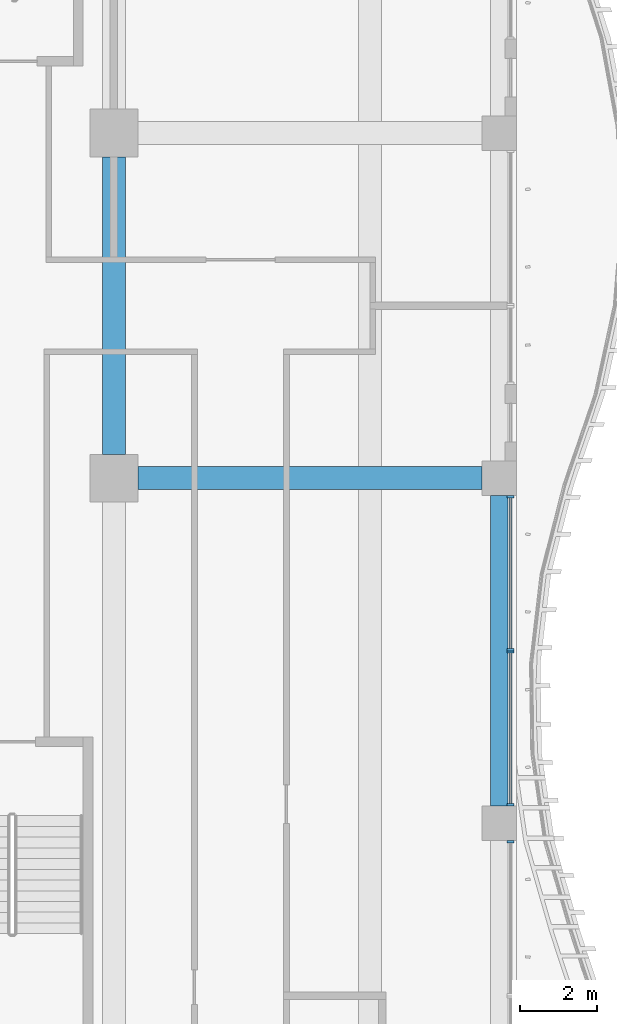
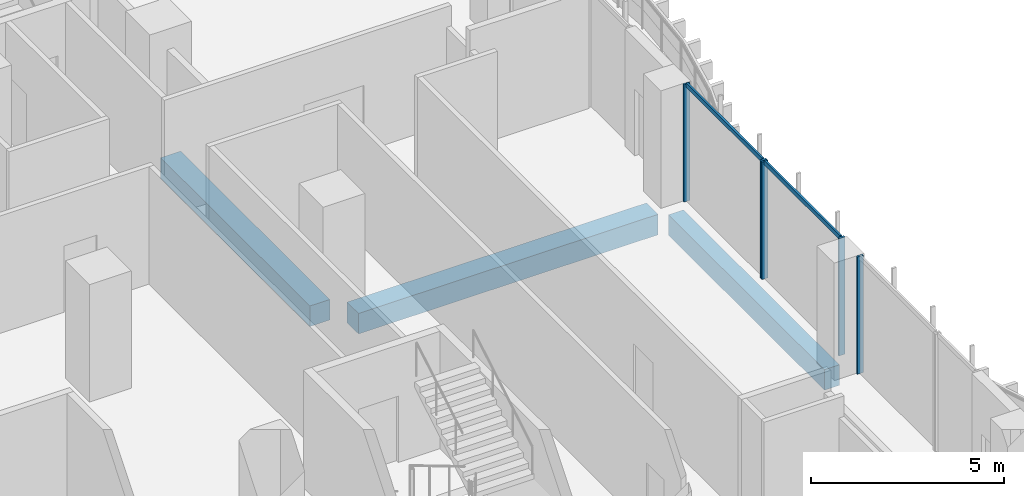
# One storey, part 7 of 28: 7 members, 3 beams, 3 elements without a shape of their own.
"""IFC4 building model written with IfcOpenShell, lengths in metres."""

import ifcopenshell
import ifcopenshell.guid

model = None  # the IFC model being written
_history = None  # IfcOwnerHistory: only IFC2X3 demands one
_inside = {}  # id of a spatial element -> (the spatial element, [elements in it])
_under = {}  # id of a project, library or spatial element -> (it, [spatial elements below it])
_declared = {}  # id of a project -> (the project, [libraries it declares])
_typed = {}  # id of a type object -> (the type object, [elements of that type])
_made_of = {}  # id of a material, layer set ... -> (it, [elements and type objects made of it])


def new_model(schema):
    """Start an empty IFC model of exactly this schema.

    Asked for "IFC4X3", IfcOpenShell would pick the latest addendum, in which some entities
    have other attributes; the version numbers below select the first issue.
    IFC2X3 requires an IfcOwnerHistory on every rooted entity: one is made here for all.
    """
    global model, _history
    if schema == "IFC4X3":
        model = ifcopenshell.file(schema_version=(4, 3, 0, 0))
    else:
        model = ifcopenshell.file(schema=schema)
    _inside.clear()
    _under.clear()
    _declared.clear()
    _typed.clear()
    _made_of.clear()
    _history = None
    if model.schema == "IFC2X3":
        org = make("IfcOrganization", Name="unknown")
        user = make(
            "IfcPersonAndOrganization",
            ThePerson=make("IfcPerson", FamilyName="unknown"),
            TheOrganization=org,
        )
        app = make(
            "IfcApplication",
            ApplicationDeveloper=org,
            Version="unknown",
            ApplicationFullName="unknown",
            ApplicationIdentifier="unknown",
        )
        _history = make(
            "IfcOwnerHistory",
            OwningUser=user,
            OwningApplication=app,
            ChangeAction="ADDED",
            CreationDate=0,
        )
    return model


def make(cls, **values):
    """One entity of the class cls with the attributes given. An attribute that is None is left unset."""
    return model.create_entity(
        cls, **{name: value for name, value in values.items() if value is not None}
    )


def rooted(cls, **values):
    """An entity with a GlobalId (a new one), such as an element, a storey or a relation."""
    return make(cls, GlobalId=ifcopenshell.guid.new(), OwnerHistory=_history, **values)


def si_unit(unit_type, name, prefix=None):
    """IfcSIUnit, for example si_unit("LENGTHUNIT", "METRE", prefix="MILLI")."""
    return make("IfcSIUnit", UnitType=unit_type, Prefix=prefix, Name=name)


def assignment(units):
    """IfcUnitAssignment: the units of a project."""
    return None if units is None else make("IfcUnitAssignment", Units=units)


def point(xyz):
    """IfcCartesianPoint."""
    return None if xyz is None else make("IfcCartesianPoint", Coordinates=xyz)


def direction(xyz):
    """IfcDirection."""
    return None if xyz is None else make("IfcDirection", DirectionRatios=xyz)


def frame(location, z_axis=None, x_axis=None):
    """IfcAxis2Placement3D, a coordinate frame: its origin and axes. An axis left out is left unset."""
    return make(
        "IfcAxis2Placement3D",
        Location=point(location),
        Axis=direction(z_axis),
        RefDirection=direction(x_axis),
    )


def frame_2d(location, x_axis=None):
    """IfcAxis2Placement2D, a coordinate frame in the plane: its origin and x axis."""
    return make(
        "IfcAxis2Placement2D", Location=point(location), RefDirection=direction(x_axis)
    )


def origin():
    """The frame at (0, 0, 0) with its axes left unset."""
    return frame((0.0, 0.0, 0.0))


def origin_2d():
    """The frame at (0, 0) in the plane with its x axis left unset."""
    return frame_2d((0.0, 0.0))


def place(relative_to, where):
    """IfcLocalPlacement: puts the frame where relative to a parent placement (None: the world)."""
    return make(
        "IfcLocalPlacement", PlacementRelTo=relative_to, RelativePlacement=where
    )


def context(
    kind, dimensions, precision=None, world=None, true_north=None, identifier=None
):
    """IfcGeometricRepresentationContext, for example the 3D "Model" context."""
    return make(
        "IfcGeometricRepresentationContext",
        ContextIdentifier=identifier,
        ContextType=kind,
        CoordinateSpaceDimension=dimensions,
        Precision=precision,
        WorldCoordinateSystem=world,
        TrueNorth=true_north,
    )


def subcontext(parent, identifier, kind, view, scale=None):
    """IfcGeometricRepresentationSubContext, for example "Body" below "Model"."""
    return make(
        "IfcGeometricRepresentationSubContext",
        ContextIdentifier=identifier,
        ContextType=kind,
        ParentContext=parent,
        TargetScale=scale,
        TargetView=view,
    )


def project(units=None, contexts=None):
    """IfcProject with its units and contexts."""
    return rooted(
        "IfcProject",
        Name="project",
        RepresentationContexts=contexts,
        UnitsInContext=assignment(units),
    )


def spatial(cls, under=None, at=None, **own):
    """A site, building, storey or space (cls), placed at a placement, below another one or the project."""
    s = rooted(cls, ObjectPlacement=at, **own)
    if under is not None:
        _under.setdefault(under.id(), (under, []))[1].append(s)
    return s


def profile(cls, at=None, kind="AREA", **sizes):
    """A parametric profile (cls). Its sizes go by their IFC names, for example OverallWidth=200.0."""
    return make(cls, ProfileType=kind, Position=at, **sizes)


def rectangle(**sizes):
    """IfcRectangleProfileDef."""
    return profile("IfcRectangleProfileDef", **sizes)


def extrude(swept, where, along, depth):
    """IfcExtrudedAreaSolid: the profile swept, set in the frame where, extruded along a direction by depth."""
    return make(
        "IfcExtrudedAreaSolid",
        SweptArea=swept,
        Position=where,
        ExtrudedDirection=direction(along),
        Depth=depth,
    )


def shape(context_of_items, identifier, shape_type, items):
    """IfcShapeRepresentation: the items that make up one representation, for example the "Body"."""
    return make(
        "IfcShapeRepresentation",
        ContextOfItems=context_of_items,
        RepresentationIdentifier=identifier,
        RepresentationType=shape_type,
        Items=items,
    )


def source(mapping_origin, context_of_items, identifier, shape_type, items):
    """IfcRepresentationMap: a shape defined once, which mapped items show again and again."""
    return make(
        "IfcRepresentationMap",
        MappingOrigin=mapping_origin,
        MappedRepresentation=shape(context_of_items, identifier, shape_type, items),
    )


def transform(
    local_origin,
    x_axis=None,
    y_axis=None,
    z_axis=None,
    scale=None,
    scale2=None,
    scale3=None,
    uniform=True,
):
    """IfcCartesianTransformationOperator3D, or its non-uniform kind. x_axis, y_axis, z_axis: its Axis1, 2, 3."""
    if uniform:
        return make(
            "IfcCartesianTransformationOperator3D",
            Axis1=direction(x_axis),
            Axis2=direction(y_axis),
            LocalOrigin=point(local_origin),
            Scale=scale,
            Axis3=direction(z_axis),
        )
    return make(
        "IfcCartesianTransformationOperator3DnonUniform",
        Axis1=direction(x_axis),
        Axis2=direction(y_axis),
        LocalOrigin=point(local_origin),
        Scale=scale,
        Axis3=direction(z_axis),
        Scale2=scale2,
        Scale3=scale3,
    )


def mapped(mapping_source, mapping_target):
    """IfcMappedItem: shows the shape of a source again, moved by a transform."""
    return make(
        "IfcMappedItem", MappingSource=mapping_source, MappingTarget=mapping_target
    )


def material(Name=None, Category=None):
    """IfcMaterial."""
    return make("IfcMaterial", Name=Name, Category=Category)


def material_profile(
    of_material, cross_section, Name=None, Category=None, Priority=None
):
    """IfcMaterialProfile: a cross section and its material."""
    return make(
        "IfcMaterialProfile",
        Name=Name,
        Material=of_material,
        Profile=cross_section,
        Priority=Priority,
        Category=Category,
    )


def profile_set(profiles, Name=None, composite=None):
    """IfcMaterialProfileSet."""
    return make(
        "IfcMaterialProfileSet",
        Name=Name,
        MaterialProfiles=profiles,
        CompositeProfile=composite,
    )


def made_of(thing, what):
    """Note that an element or type object is made of a material, layer set ...; save() writes the relation."""
    if what is not None:
        _made_of.setdefault(what.id(), (what, []))[1].append(thing)
    return thing


def type_object(cls, material=None, **own):
    """A type object (cls), such as IfcWallType, which elements share."""
    return made_of(rooted(cls, **own), material)


def element(
    cls,
    number,
    at=None,
    inside=None,
    cuts=None,
    type_object=None,
    material=None,
    context=None,
    identifier="Body",
    shape_type=None,
    held_by="IfcProductDefinitionShape",
    body=None,
    shapes=None,
    **own,
):
    """One element of the class cls, such as IfcWall. Its Tag is "e" and its number.

    at: its placement. inside: the storey or other place that contains it. cuts: it is an
    opening in that element (IfcRelVoidsElement). A single representation is given by context,
    identifier, shape_type and body (its items); several are given by shapes. held_by: the class
    of the entity that holds the representations. save() writes the other relations.
    """
    e = rooted(cls, Tag="e%d" % number, ObjectPlacement=at, **own)
    if body is not None:
        shapes = [shape(context, identifier, shape_type, body)]
    if shapes is not None:
        e.Representation = make(held_by, Representations=shapes)
    if inside is not None:
        _inside.setdefault(inside.id(), (inside, []))[1].append(e)
    if cuts is not None:
        rooted(
            "IfcRelVoidsElement", RelatingBuildingElement=cuts, RelatedOpeningElement=e
        )
    if type_object is not None:
        _typed.setdefault(type_object.id(), (type_object, []))[1].append(e)
    return made_of(e, material)


def aggregate(whole, parts):
    """IfcRelAggregates: a whole, such as a stair, and the parts it consists of."""
    return rooted("IfcRelAggregates", RelatingObject=whole, RelatedObjects=parts)


def save(model, path):
    """Write the relations noted so far, then the file.

    IfcRelAggregates (storeys below a building ...), IfcRelContainedInSpatialStructure (elements
    in a storey), IfcRelDefinesByType, IfcRelAssociatesMaterial and IfcRelDeclares: one each for
    every whole, place, type object, material and project.
    """
    for whole, parts in _under.values():
        aggregate(whole, parts)
    for where, things in _inside.values():
        rooted(
            "IfcRelContainedInSpatialStructure",
            RelatedElements=things,
            RelatingStructure=where,
        )
    for kind, things in _typed.values():
        rooted("IfcRelDefinesByType", RelatedObjects=things, RelatingType=kind)
    for what, things in _made_of.values():
        rooted("IfcRelAssociatesMaterial", RelatedObjects=things, RelatingMaterial=what)
    for by, libraries in _declared.values():
        rooted("IfcRelDeclares", RelatingContext=by, RelatedDefinitions=libraries)
    model.write(path)


model = new_model("IFC4")

# Units and contexts
model_context = context("Model", 3, precision=1e-05, world=origin(), true_north=direction((0.0, 1.0)))
body_context = subcontext(model_context, "Body", "Model", "MODEL_VIEW")
ifc_project = project(units=[si_unit("LENGTHUNIT", "METRE"), si_unit("AREAUNIT", "SQUARE_METRE"), si_unit("VOLUMEUNIT", "CUBIC_METRE"), si_unit("PLANEANGLEUNIT", "RADIAN"), si_unit("MASSUNIT", "GRAM", prefix="KILO")], contexts=[model_context])

# Site, building, storey
site_placement = place(None, origin())
site = spatial("IfcSite", under=ifc_project, at=site_placement, CompositionType="ELEMENT")
building_placement = place(site_placement, origin())
building = spatial("IfcBuilding", under=site, at=building_placement, Name="Kilnfold Tower and Market Hall", CompositionType="ELEMENT")
storey_placement = place(building_placement, frame((0.0, 0.0, 75.199951171875)))
storey = spatial("IfcBuildingStorey", under=building, at=storey_placement, Name="L17", CompositionType="ELEMENT", Elevation=75.199951171875)

# Beams
ifc_material_1 = material(Name="Concrete C45", Category="concrete")
ifc_material_profile_1 = material_profile(ifc_material_1, rectangle(XDim=0.449951171875, YDim=0.64990234375, at=origin_2d()), Name="RC 450x650")
ifc_profile_set_1 = profile_set([ifc_material_profile_1], Name="Concrete C45")
beam_type_1 = type_object("IfcBeamType", Name="EDGE BEAM 450X650 C45", PredefinedType="BEAM", material=ifc_profile_set_1)
shared_shape_1 = source(origin(), body_context, "Body", "SweptSolid", [
    extrude(rectangle(XDim=0.449951171875, YDim=0.64990234375, at=origin_2d()), origin(), (0.0, 0.0, 1.0), 8.10009765625),
])
beam_1_placement = place(storey_placement, frame((32.550048828125, -9.550048828125, -0.60498046875), z_axis=(0.0, 1.0, 0.0), x_axis=(-1.0, 0.0, 0.0)))
element("IfcBeam", 1, at=beam_1_placement, inside=storey, type_object=beam_type_1, Name="Beam EB650-B2.101", PredefinedType="BEAM", context=body_context, shape_type="MappedRepresentation", body=[
    mapped(shared_shape_1, transform((0.0, 0.0, 0.0))),
])
ifc_material_2 = material(Name="Concrete C45", Category="concrete")
ifc_material_profile_2 = material_profile(ifc_material_2, rectangle(XDim=0.60009765625, YDim=0.64990234375, at=origin_2d()), Name="RC 600x650")
ifc_profile_set_2 = profile_set([ifc_material_profile_2], Name="Concrete C45")
beam_type_2 = type_object("IfcBeamType", Name="BEAM 600X650 C45", PredefinedType="BEAM", material=ifc_profile_set_2)
shared_shape_2 = source(origin(), body_context, "Body", "SweptSolid", [
    extrude(rectangle(XDim=0.60009765625, YDim=0.64990234375, at=origin_2d()), origin(), (0.0, 0.0, 1.0), 8.97509765625),
])
beam_2_placement = place(storey_placement, frame((23.125, -1.0, -0.60498046875), z_axis=(1.0, 0.0, 0.0), x_axis=(0.0, 1.0, 0.0)))
element("IfcBeam", 2, at=beam_2_placement, inside=storey, type_object=beam_type_2, Name="Beam BB650-B2.72", PredefinedType="BEAM", context=body_context, shape_type="MappedRepresentation", body=[
    mapped(shared_shape_2, transform((0.0, 0.0, 0.0))),
])
shared_shape_3 = source(origin(), body_context, "Body", "SweptSolid", [
    extrude(rectangle(XDim=0.60009765625, YDim=0.64990234375, at=origin_2d()), origin(), (0.0, 0.0, 1.0), 7.75),
])
beam_3_placement = place(storey_placement, frame((22.5, -0.375, -0.60498046875), z_axis=(0.0, 1.0, 0.0), x_axis=(-1.0, 0.0, 0.0)))
element("IfcBeam", 3, at=beam_3_placement, inside=storey, type_object=beam_type_2, Name="Beam BB650-B2.96", PredefinedType="BEAM", context=body_context, shape_type="MappedRepresentation", body=[
    mapped(shared_shape_3, transform((0.0, 0.0, 0.0))),
])

# Curtain wall, member
ifc_material_3 = material(Name="Aluminium and double glazing", Category="aluminium")
curtain_wall_type = type_object("IfcCurtainWallType", Name="CW OF1 VALLEY GLAZING", PredefinedType="NOTDEFINED", material=ifc_material_3)
curtain_wall_1_placement = place(storey_placement, origin())
curtain_wall_1 = element("IfcCurtainWall", 4, at=curtain_wall_1_placement, inside=storey, type_object=curtain_wall_type, Name="Curtain wall CW1 L17 E", PredefinedType="NOTDEFINED")
ifc_material_4 = material(Name="Aluminium", Category="aluminium")
ifc_material_profile_3 = material_profile(ifc_material_4, rectangle(XDim=0.06005859375, YDim=0.179931640625, at=origin_2d()), Name="MULLION 60x180")
ifc_profile_set_3 = profile_set([ifc_material_profile_3], Name="Aluminium")
member_type_1 = type_object("IfcMemberType", Name="MULLION 60X180", PredefinedType="MULLION", material=ifc_profile_set_3)
shared_shape_4 = source(origin(), body_context, "Body", "SweptSolid", [
    extrude(rectangle(XDim=0.06005859375, YDim=0.179931640625, at=origin_2d()), origin(), (0.0, 0.0, 1.0), 3.719970703125),
])
member_1_placement = place(storey_placement, frame((32.85009765625, -10.47998046875, 0.0), z_axis=(0.0, 0.0, 1.0), x_axis=(0.0, 1.0, 0.0)))
member_1 = element("IfcMember", 5, at=member_1_placement, type_object=member_type_1, Name="CW1 mullion 2", PredefinedType="MULLION", context=body_context, shape_type="MappedRepresentation", body=[
    mapped(shared_shape_4, transform((0.0, 0.0, 0.0))),
])
aggregate(curtain_wall_1, [member_1])

# Curtain wall, members
curtain_wall_2_placement = place(storey_placement, origin())
curtain_wall_2 = element("IfcCurtainWall", 6, at=curtain_wall_2_placement, inside=storey, type_object=curtain_wall_type, Name="Curtain wall CW1 L17 E", PredefinedType="NOTDEFINED")
member_2_placement = place(storey_placement, frame((32.85009765625, -9.52001953125, 0.0), z_axis=(0.0, 0.0, 1.0), x_axis=(0.0, 1.0, 0.0)))
member_2 = element("IfcMember", 7, at=member_2_placement, type_object=member_type_1, Name="CW1 mullion 1", PredefinedType="MULLION", context=body_context, shape_type="MappedRepresentation", body=[
    mapped(shared_shape_4, transform((0.0, 0.0, 0.0))),
])
member_3_placement = place(storey_placement, frame((32.85009765625, -5.530029296875, 0.0), z_axis=(0.0, 0.0, 1.0), x_axis=(0.0, 1.0, 0.0)))
member_3 = element("IfcMember", 8, at=member_3_placement, type_object=member_type_1, Name="CW1 mullion 2", PredefinedType="MULLION", context=body_context, shape_type="MappedRepresentation", body=[
    mapped(shared_shape_4, transform((0.0, 0.0, 0.0))),
])

curtain_wall_3_placement = place(storey_placement, origin())
curtain_wall_3 = element("IfcCurtainWall", 9, at=curtain_wall_3_placement, inside=storey, type_object=curtain_wall_type, Name="Curtain wall CW1 L17 E", PredefinedType="NOTDEFINED")
member_4_placement = place(storey_placement, frame((32.85009765625, -5.469970703125, 0.0), z_axis=(0.0, 0.0, 1.0), x_axis=(0.0, 1.0, 0.0)))
member_4 = element("IfcMember", 10, at=member_4_placement, type_object=member_type_1, Name="CW1 mullion 1", PredefinedType="MULLION", context=body_context, shape_type="MappedRepresentation", body=[
    mapped(shared_shape_4, transform((0.0, 0.0, 0.0))),
])
member_5_placement = place(storey_placement, frame((32.85009765625, -1.47998046875, 0.0), z_axis=(0.0, 0.0, 1.0), x_axis=(0.0, 1.0, 0.0)))
member_5 = element("IfcMember", 11, at=member_5_placement, type_object=member_type_1, Name="CW1 mullion 2", PredefinedType="MULLION", context=body_context, shape_type="MappedRepresentation", body=[
    mapped(shared_shape_4, transform((0.0, 0.0, 0.0))),
])

# Member
ifc_material_5 = material(Name="Aluminium", Category="aluminium")
ifc_material_profile_4 = material_profile(ifc_material_5, rectangle(XDim=0.06005859375, YDim=0.139892578125, at=origin_2d()), Name="TRANSOM 60x140")
ifc_profile_set_4 = profile_set([ifc_material_profile_4], Name="Aluminium")
member_type_2 = type_object("IfcMemberType", Name="TRANSOM 60X140", PredefinedType="USERDEFINED", material=ifc_profile_set_4)
shared_shape_5 = source(origin(), body_context, "Body", "SweptSolid", [
    extrude(rectangle(XDim=0.06005859375, YDim=0.139892578125, at=origin_2d()), origin(), (0.0, 0.0, 1.0), 3.929931640625),
])
member_6_placement = place(storey_placement, frame((32.85009765625, -9.489990234375, 3.68994140625), z_axis=(0.0, 1.0, 0.0), x_axis=(-1.0, 0.0, 0.0)))
member_6 = element("IfcMember", 12, at=member_6_placement, type_object=member_type_2, Name="CW1 transom 1.2", ObjectType="TRANSOM", PredefinedType="USERDEFINED", context=body_context, shape_type="MappedRepresentation", body=[
    mapped(shared_shape_5, transform((0.0, 0.0, 0.0))),
])

aggregate(curtain_wall_2, [member_2, member_3, member_6])

member_7_placement = place(storey_placement, frame((32.85009765625, -5.43994140625, 3.68994140625), z_axis=(0.0, 1.0, 0.0), x_axis=(-1.0, 0.0, 0.0)))
member_7 = element("IfcMember", 13, at=member_7_placement, type_object=member_type_2, Name="CW1 transom 1.2", ObjectType="TRANSOM", PredefinedType="USERDEFINED", context=body_context, shape_type="MappedRepresentation", body=[
    mapped(shared_shape_5, transform((0.0, 0.0, 0.0))),
])

aggregate(curtain_wall_3, [member_4, member_5, member_7])

save(model, "model.ifc")
